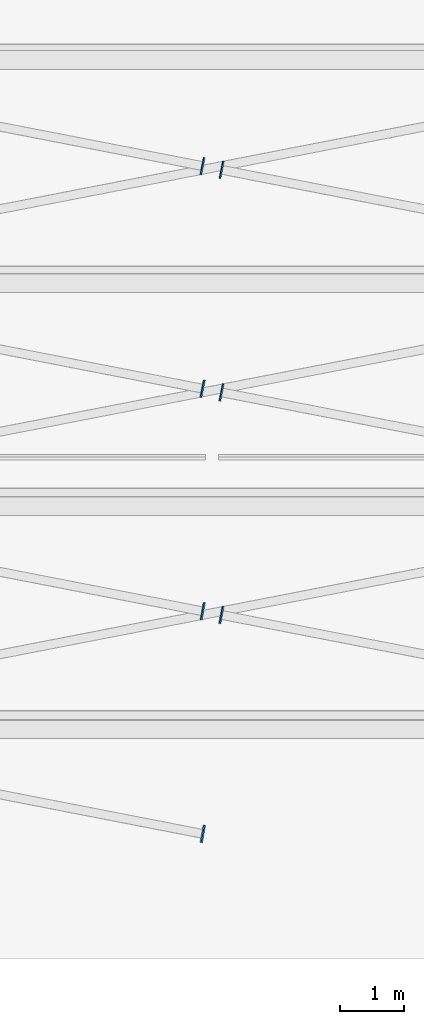
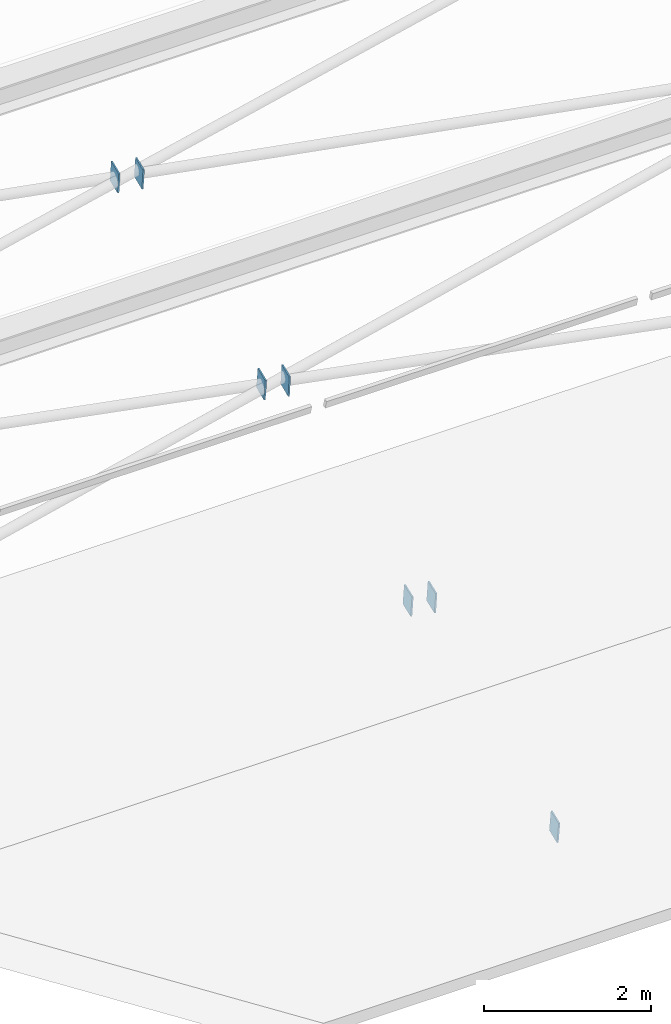
# One storey, part 55 of 69: 7 discrete accessories.
"""IFC4 building model written with IfcOpenShell, lengths in metres."""

from ifc_helpers import new_model, si_unit, direction, frame, origin, origin_2d, place, context, subcontext, project, spatial, rectangle, extrude, material, layer, layer_set, type_object, element, save


model = new_model("IFC4")

# Units and contexts
model_context = context("Model", 3, precision=1e-05, world=origin(), true_north=direction((0.0, 1.0)))
body_context = subcontext(model_context, "Body", "Model", "MODEL_VIEW")
ifc_project = project(units=[si_unit("LENGTHUNIT", "METRE"), si_unit("AREAUNIT", "SQUARE_METRE"), si_unit("VOLUMEUNIT", "CUBIC_METRE"), si_unit("PLANEANGLEUNIT", "RADIAN"), si_unit("MASSUNIT", "GRAM", prefix="KILO")], contexts=[model_context])

# Site, building, storey
site_placement = place(None, origin())
site = spatial("IfcSite", under=ifc_project, at=site_placement, CompositionType="ELEMENT")
building_placement = place(site_placement, origin())
building = spatial("IfcBuilding", under=site, at=building_placement, Name="Okhra Congress Centre", CompositionType="ELEMENT")
storey_placement = place(building_placement, frame((0.0, 0.0, 16.800048828125)))
storey = spatial("IfcBuildingStorey", under=building, at=storey_placement, Name="L03", CompositionType="ELEMENT", Elevation=16.800048828125)

# Discrete accessories
ifc_material = material(Name="Steel S355J2", Category="steel")
ifc_layer = layer(ifc_material, 0.02001953125)
ifc_layer_set = layer_set([ifc_layer], Name="Brace end connection plate 20 mm S355")
discrete_accessory_type = type_object("IfcDiscreteAccessoryType", Name="Brace end connection plate 20 mm S355", PredefinedType="BRACKET", material=ifc_layer_set)
discrete_accessory_placement = place(storey_placement, frame((36.844970703125, 140.780029296875, 0.21240234375), z_axis=(0.980212576021, -0.183789858004, -0.073515943202), x_axis=(0.18428853505, 0.982872186934, 0.0)))
element("IfcDiscreteAccessory", 1, at=discrete_accessory_placement, inside=storey, type_object=discrete_accessory_type, Name="Brace end connection plate", PredefinedType="BRACKET", context=body_context, shape_type="SweptSolid", body=[
    extrude(rectangle(XDim=0.279052734375, YDim=0.279052734375, at=origin_2d()), origin(), (0.0, 0.0, 1.0), 0.02001953125),
])
for number, where, z_axis, x_axis, name in (
    (2, (37.1572265625, 144.219482421875, 1.373779296875), (-0.981475761487, 0.181754770646, 0.060584923549), (-0.182089260182, -0.983282004984, 0.0), "Brace end connection plate"),
    (3, (36.8427734375, 144.280517578125, 1.39306640625), (0.981475761487, -0.181754770646, -0.060584923549), (0.182089260182, 0.983282004984, 0.0), "Brace end connection plate"),
):
    element("IfcDiscreteAccessory", number, at=place(storey_placement, frame(where, z_axis=z_axis, x_axis=x_axis)), inside=storey, type_object=discrete_accessory_type, Name=name, PredefinedType="BRACKET", context=body_context, shape_type="SweptSolid", body=[
        extrude(rectangle(XDim=0.279052734375, YDim=0.279052734375, at=origin_2d()), origin(), (0.0, 0.0, 1.0), 0.020263671875),
    ])
for number, where, z_axis, x_axis, name in (
    (4, (37.158935546875, 147.718994140625, 2.4130859375), (-0.979404213749, 0.19588084275, 0.048970210687), (-0.196116135138, -0.980580675691, 0.0), "Brace end connection plate"),
    (5, (36.841064453125, 147.781005859375, 2.43017578125), (0.978744311902, -0.19574886238, -0.061171519494), (0.196116135138, 0.980580675691, 0.0), "Brace end connection plate"),
):
    element("IfcDiscreteAccessory", number, at=place(storey_placement, frame(where, z_axis=z_axis, x_axis=x_axis)), inside=storey, type_object=discrete_accessory_type, Name=name, PredefinedType="BRACKET", context=body_context, shape_type="SweptSolid", body=[
        extrude(rectangle(XDim=0.279052734375, YDim=0.279052734375, at=origin_2d()), origin(), (0.0, 0.0, 1.0), 0.02001953125),
    ])
for number, where, z_axis, x_axis, name in (
    (6, (37.16064453125, 151.21875, 3.313232421875), (-0.979894473989, 0.19355940227, 0.048389850567), (-0.193786418213, -0.981043742203, 0.0), "Brace end connection plate"),
    (7, (36.83935546875, 151.28125, 3.328125), (0.979894473989, -0.19355940227, -0.048389850567), (0.193786418213, 0.981043742203, 0.0), "Brace end connection plate"),
):
    element("IfcDiscreteAccessory", number, at=place(storey_placement, frame(where, z_axis=z_axis, x_axis=x_axis)), inside=storey, type_object=discrete_accessory_type, Name=name, PredefinedType="BRACKET", context=body_context, shape_type="SweptSolid", body=[
        extrude(rectangle(XDim=0.279052734375, YDim=0.279052734375, at=origin_2d()), origin(), (0.0, 0.0, 1.0), 0.020263671875),
    ])

save(model, "model.ifc")
